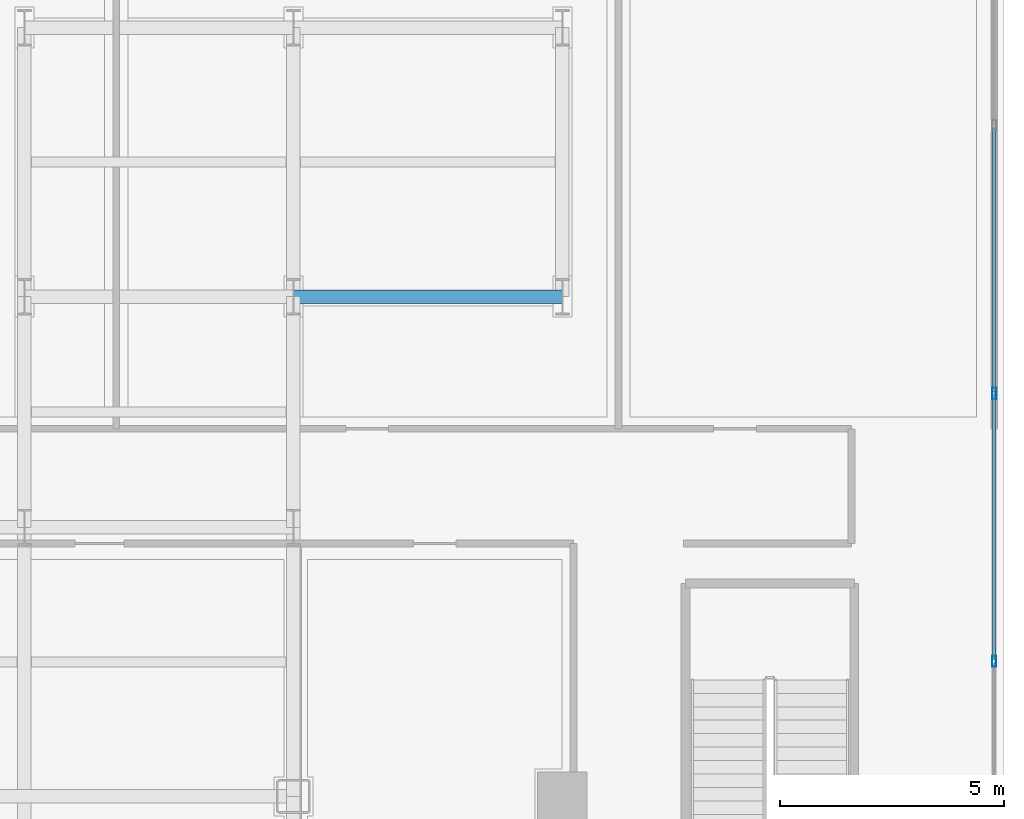
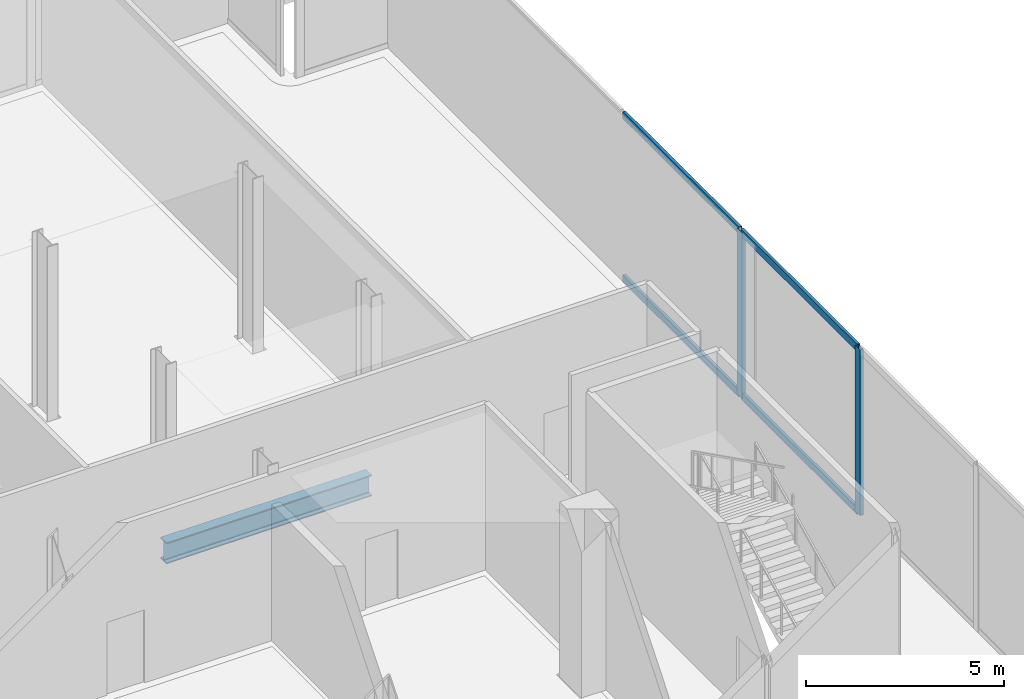
# One storey, part 12 of 27: 6 members, 1 beam, 1 element without a shape of its own.
"""IFC4 building model written with IfcOpenShell, lengths in metres."""

from ifc_helpers import new_model, si_unit, direction, frame, origin, origin_2d, place, context, subcontext, project, spatial, hollow_rectangle, i_section, extrude, material, layer, layer_set, material_profile, profile_set, type_object, element, aggregate, save


model = new_model("IFC4")

# Units and contexts
model_context = context("Model", 3, precision=1e-05, world=origin(), true_north=direction((0.0, 1.0)))
body_context = subcontext(model_context, "Body", "Model", "MODEL_VIEW")
ifc_project = project(units=[si_unit("LENGTHUNIT", "METRE"), si_unit("AREAUNIT", "SQUARE_METRE"), si_unit("VOLUMEUNIT", "CUBIC_METRE"), si_unit("PLANEANGLEUNIT", "RADIAN"), si_unit("MASSUNIT", "GRAM", prefix="KILO"), si_unit("THERMODYNAMICTEMPERATUREUNIT", "KELVIN"), si_unit("POWERUNIT", "WATT")], contexts=[model_context])

# Site, building, storey
site_placement = place(None, origin())
site = spatial("IfcSite", under=ifc_project, at=site_placement, CompositionType="ELEMENT")
building_placement = place(site_placement, origin())
building = spatial("IfcBuilding", under=site, at=building_placement, Name="Svarakhadi Broadcast Tower", CompositionType="ELEMENT")
storey_placement = place(building_placement, frame((0.0, 0.0, 5.699951171875)))
storey = spatial("IfcBuildingStorey", under=building, at=storey_placement, Name="L01", CompositionType="ELEMENT", Elevation=5.699951171875)

# Curtain wall, members
ifc_material_1 = material(Name="Anodised Bronze Aluminium AA 6063-T6", Category="aluminium")
ifc_layer = layer(ifc_material_1, 0.25)
ifc_layer_set = layer_set([ifc_layer], Name="Anodised Bronze Aluminium AA 6063-T6")
curtain_wall_type = type_object("IfcCurtainWallType", Name="CW_Sys_01", PredefinedType="NOTDEFINED", material=ifc_layer_set)
curtain_wall_placement = place(storey_placement, origin())
curtain_wall = element("IfcCurtainWall", 1, at=curtain_wall_placement, inside=storey, type_object=curtain_wall_type, Name="L01 Unitised Facade Curtain Wall 08", PredefinedType="NOTDEFINED")
ifc_material_profile_1 = material_profile(ifc_material_1, hollow_rectangle(XDim=0.094970703125, YDim=0.25, WallThickness=0.006103515625, at=origin_2d()), Name="ALU MULLION 250x95x6")
ifc_profile_set_1 = profile_set([ifc_material_profile_1], Name="Anodised Bronze Aluminium AA 6063-T6")
member_type_1 = type_object("IfcMemberType", Name="CW_Sys_01_Mul", PredefinedType="MULLION", material=ifc_profile_set_1)
member_1_placement = place(storey_placement, frame((62.780029296875, 26.987060546875, 0.0), z_axis=(0.0, 0.0, 1.0), x_axis=(1.0, 0.0, 0.0)))
member_1 = element("IfcMember", 2, at=member_1_placement, type_object=member_type_1, Name="CW-01 mullion 4", PredefinedType="MULLION", context=body_context, shape_type="SweptSolid", body=[
    extrude(hollow_rectangle(XDim=0.094970703125, YDim=0.25, WallThickness=0.006103515625, at=origin_2d()), origin(), (0.0, 0.0, 1.0), 5.125),
])
member_2_placement = place(storey_placement, frame((62.780029296875, 21.012939453125, 0.0), z_axis=(0.0, 0.0, 1.0), x_axis=(1.0, 0.0, 0.0)))
member_2 = element("IfcMember", 3, at=member_2_placement, type_object=member_type_1, Name="CW-01 mullion 5", PredefinedType="MULLION", context=body_context, shape_type="SweptSolid", body=[
    extrude(hollow_rectangle(XDim=0.094970703125, YDim=0.25, WallThickness=0.006103515625, at=origin_2d()), origin(), (0.0, 0.0, 1.0), 5.125),
])
ifc_material_profile_2 = material_profile(ifc_material_1, hollow_rectangle(XDim=0.0849609375, YDim=0.219970703125, WallThickness=0.0048828125, at=origin_2d()), Name="ALU TRANSOM 220x85x5")
ifc_profile_set_2 = profile_set([ifc_material_profile_2], Name="Anodised Bronze Aluminium AA 6063-T6")
member_type_2 = type_object("IfcMemberType", Name="CW_Sys_01_Trn", PredefinedType="USERDEFINED", material=ifc_profile_set_2)
member_3_placement = place(storey_placement, frame((62.780029296875, 32.913818359375, 0.04248046875), z_axis=(0.0, -1.0, 0.0), x_axis=(1.0, 0.0, 0.0)))
member_3 = element("IfcMember", 4, at=member_3_placement, type_object=member_type_2, Name="CW-01 transom 3.1", ObjectType="TRANSOM", PredefinedType="USERDEFINED", context=body_context, shape_type="SweptSolid", body=[
    extrude(hollow_rectangle(XDim=0.0849609375, YDim=0.219970703125, WallThickness=0.0048828125, at=origin_2d()), origin(), (0.0, 0.0, 1.0), 5.879150390625),
])
member_4_placement = place(storey_placement, frame((62.780029296875, 32.913818359375, 5.08251953125), z_axis=(0.0, -1.0, 0.0), x_axis=(1.0, 0.0, 0.0)))
member_4 = element("IfcMember", 5, at=member_4_placement, type_object=member_type_2, Name="CW-01 transom 3.2", ObjectType="TRANSOM", PredefinedType="USERDEFINED", context=body_context, shape_type="SweptSolid", body=[
    extrude(hollow_rectangle(XDim=0.0849609375, YDim=0.219970703125, WallThickness=0.0048828125, at=origin_2d()), origin(), (0.0, 0.0, 1.0), 5.879150390625),
])
member_5_placement = place(storey_placement, frame((62.780029296875, 26.939697265625, 0.04248046875), z_axis=(0.0, -1.0, 0.0), x_axis=(1.0, 0.0, 0.0)))
member_5 = element("IfcMember", 6, at=member_5_placement, type_object=member_type_2, Name="CW-01 transom 4.1", ObjectType="TRANSOM", PredefinedType="USERDEFINED", context=body_context, shape_type="SweptSolid", body=[
    extrude(hollow_rectangle(XDim=0.0849609375, YDim=0.219970703125, WallThickness=0.0048828125, at=origin_2d()), origin(), (0.0, 0.0, 1.0), 5.87939453125),
])
member_6_placement = place(storey_placement, frame((62.780029296875, 26.939697265625, 5.08251953125), z_axis=(0.0, -1.0, 0.0), x_axis=(1.0, 0.0, 0.0)))
member_6 = element("IfcMember", 7, at=member_6_placement, type_object=member_type_2, Name="CW-01 transom 4.2", ObjectType="TRANSOM", PredefinedType="USERDEFINED", context=body_context, shape_type="SweptSolid", body=[
    extrude(hollow_rectangle(XDim=0.0849609375, YDim=0.219970703125, WallThickness=0.0048828125, at=origin_2d()), origin(), (0.0, 0.0, 1.0), 5.87939453125),
])
aggregate(curtain_wall, [member_1, member_2, member_3, member_4, member_5, member_6])

# Beam
ifc_material_2 = material(Name="Steel S355J2 (IS 2062 E350C)", Category="steel")
ifc_material_profile_3 = material_profile(ifc_material_2, i_section(OverallWidth=0.300048828125, OverallDepth=0.64990234375, WebThickness=0.01611328125, FlangeThickness=0.031005859375, FilletRadius=0.027099609375, at=origin_2d()), Name="WPB 650x300x225")
ifc_profile_set_3 = profile_set([ifc_material_profile_3], Name="Steel S355J2 (IS 2062 E350C)")
beam_type = type_object("IfcBeamType", Name="Girder_WPB650", PredefinedType="USERDEFINED", material=ifc_profile_set_3)
beam_placement = place(storey_placement, frame((47.14990234375, 29.14990234375, -0.625), z_axis=(1.0, 0.0, 0.0), x_axis=(0.0, 1.0, 0.0)))
element("IfcBeam", 8, at=beam_placement, inside=storey, type_object=beam_type, Name="L01 Primary E-W Girder G036", ObjectType="GIRDER", PredefinedType="USERDEFINED", context=body_context, shape_type="SweptSolid", body=[
    extrude(i_section(OverallWidth=0.300048828125, OverallDepth=0.64990234375, WebThickness=0.01611328125, FlangeThickness=0.031005859375, FilletRadius=0.027099609375, at=origin_2d()), origin(), (0.0, 0.0, 1.0), 6.0),
])

save(model, "model.ifc")
